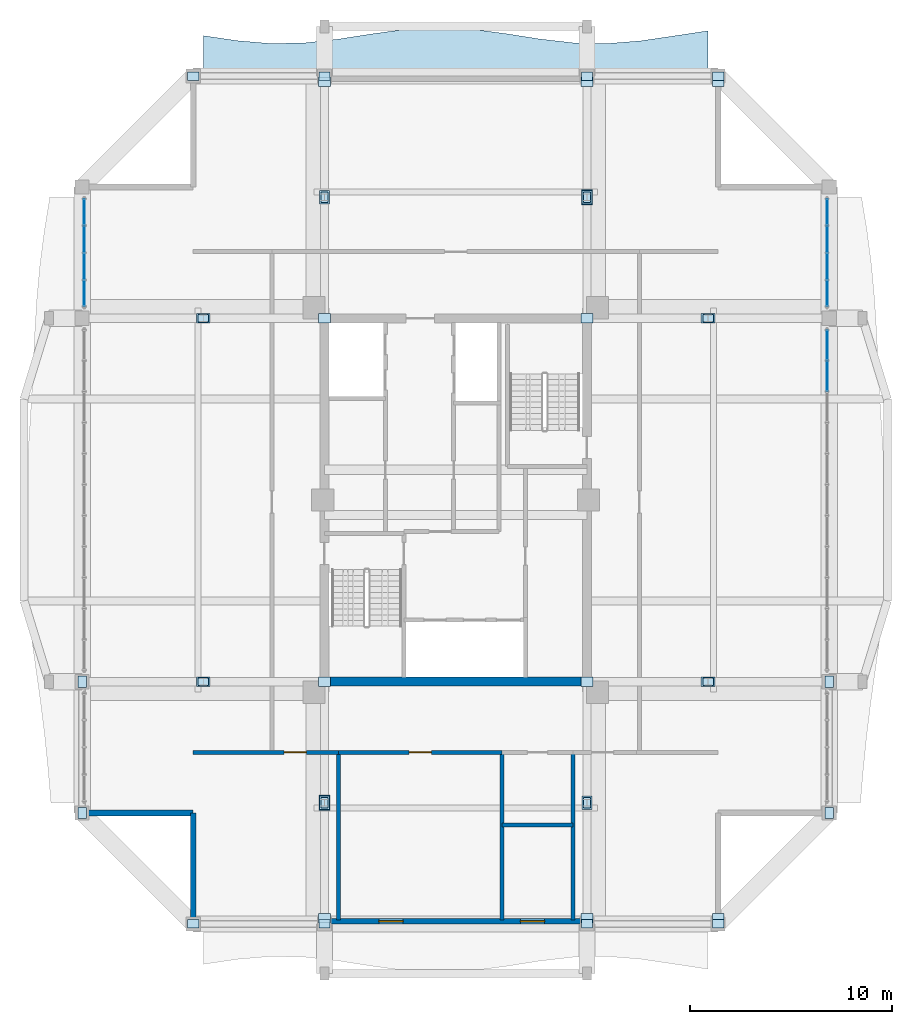
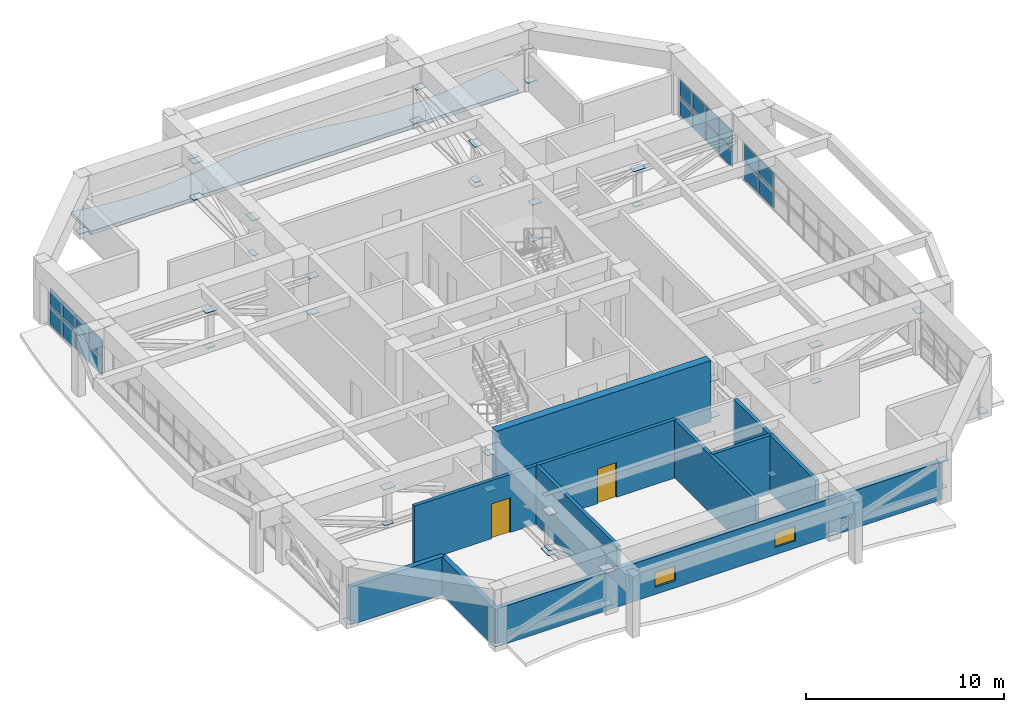
# One storey, part 20 of 25: 66 plates, 10 walls, 2 doors, 2 windows, 1 slab, 4 openings, 3 elements without a shape of their own.
"""IFC4 building model written with IfcOpenShell, lengths in metres."""

import ifcopenshell
import ifcopenshell.guid

model = None  # the IFC model being written
_history = None  # IfcOwnerHistory: only IFC2X3 demands one
_inside = {}  # id of a spatial element -> (the spatial element, [elements in it])
_under = {}  # id of a project, library or spatial element -> (it, [spatial elements below it])
_declared = {}  # id of a project -> (the project, [libraries it declares])
_typed = {}  # id of a type object -> (the type object, [elements of that type])
_made_of = {}  # id of a material, layer set ... -> (it, [elements and type objects made of it])


def new_model(schema):
    """Start an empty IFC model of exactly this schema.

    Asked for "IFC4X3", IfcOpenShell would pick the latest addendum, in which some entities
    have other attributes; the version numbers below select the first issue.
    IFC2X3 requires an IfcOwnerHistory on every rooted entity: one is made here for all.
    """
    global model, _history
    if schema == "IFC4X3":
        model = ifcopenshell.file(schema_version=(4, 3, 0, 0))
    else:
        model = ifcopenshell.file(schema=schema)
    _inside.clear()
    _under.clear()
    _declared.clear()
    _typed.clear()
    _made_of.clear()
    _history = None
    if model.schema == "IFC2X3":
        org = make("IfcOrganization", Name="unknown")
        user = make(
            "IfcPersonAndOrganization",
            ThePerson=make("IfcPerson", FamilyName="unknown"),
            TheOrganization=org,
        )
        app = make(
            "IfcApplication",
            ApplicationDeveloper=org,
            Version="unknown",
            ApplicationFullName="unknown",
            ApplicationIdentifier="unknown",
        )
        _history = make(
            "IfcOwnerHistory",
            OwningUser=user,
            OwningApplication=app,
            ChangeAction="ADDED",
            CreationDate=0,
        )
    return model


def make(cls, **values):
    """One entity of the class cls with the attributes given. An attribute that is None is left unset."""
    return model.create_entity(
        cls, **{name: value for name, value in values.items() if value is not None}
    )


def rooted(cls, **values):
    """An entity with a GlobalId (a new one), such as an element, a storey or a relation."""
    return make(cls, GlobalId=ifcopenshell.guid.new(), OwnerHistory=_history, **values)


def si_unit(unit_type, name, prefix=None):
    """IfcSIUnit, for example si_unit("LENGTHUNIT", "METRE", prefix="MILLI")."""
    return make("IfcSIUnit", UnitType=unit_type, Prefix=prefix, Name=name)


def assignment(units):
    """IfcUnitAssignment: the units of a project."""
    return None if units is None else make("IfcUnitAssignment", Units=units)


def point(xyz):
    """IfcCartesianPoint."""
    return None if xyz is None else make("IfcCartesianPoint", Coordinates=xyz)


def direction(xyz):
    """IfcDirection."""
    return None if xyz is None else make("IfcDirection", DirectionRatios=xyz)


def frame(location, z_axis=None, x_axis=None):
    """IfcAxis2Placement3D, a coordinate frame: its origin and axes. An axis left out is left unset."""
    return make(
        "IfcAxis2Placement3D",
        Location=point(location),
        Axis=direction(z_axis),
        RefDirection=direction(x_axis),
    )


def frame_2d(location, x_axis=None):
    """IfcAxis2Placement2D, a coordinate frame in the plane: its origin and x axis."""
    return make(
        "IfcAxis2Placement2D", Location=point(location), RefDirection=direction(x_axis)
    )


def origin():
    """The frame at (0, 0, 0) with its axes left unset."""
    return frame((0.0, 0.0, 0.0))


def origin_2d():
    """The frame at (0, 0) in the plane with its x axis left unset."""
    return frame_2d((0.0, 0.0))


def place(relative_to, where):
    """IfcLocalPlacement: puts the frame where relative to a parent placement (None: the world)."""
    return make(
        "IfcLocalPlacement", PlacementRelTo=relative_to, RelativePlacement=where
    )


def context(
    kind, dimensions, precision=None, world=None, true_north=None, identifier=None
):
    """IfcGeometricRepresentationContext, for example the 3D "Model" context."""
    return make(
        "IfcGeometricRepresentationContext",
        ContextIdentifier=identifier,
        ContextType=kind,
        CoordinateSpaceDimension=dimensions,
        Precision=precision,
        WorldCoordinateSystem=world,
        TrueNorth=true_north,
    )


def subcontext(parent, identifier, kind, view, scale=None):
    """IfcGeometricRepresentationSubContext, for example "Body" below "Model"."""
    return make(
        "IfcGeometricRepresentationSubContext",
        ContextIdentifier=identifier,
        ContextType=kind,
        ParentContext=parent,
        TargetScale=scale,
        TargetView=view,
    )


def project(units=None, contexts=None):
    """IfcProject with its units and contexts."""
    return rooted(
        "IfcProject",
        Name="project",
        RepresentationContexts=contexts,
        UnitsInContext=assignment(units),
    )


def spatial(cls, under=None, at=None, **own):
    """A site, building, storey or space (cls), placed at a placement, below another one or the project."""
    s = rooted(cls, ObjectPlacement=at, **own)
    if under is not None:
        _under.setdefault(under.id(), (under, []))[1].append(s)
    return s


def polyline(points):
    """IfcPolyline through the points."""
    return make("IfcPolyline", Points=[point(p) for p in points])


def profile(cls, at=None, kind="AREA", **sizes):
    """A parametric profile (cls). Its sizes go by their IFC names, for example OverallWidth=200.0."""
    return make(cls, ProfileType=kind, Position=at, **sizes)


def rectangle(**sizes):
    """IfcRectangleProfileDef."""
    return profile("IfcRectangleProfileDef", **sizes)


def outline(outer, holes=None, kind="AREA"):
    """IfcArbitraryClosedProfileDef: a profile drawn as a closed curve; with holes, ...WithVoids."""
    if holes is None:
        return make("IfcArbitraryClosedProfileDef", ProfileType=kind, OuterCurve=outer)
    return make(
        "IfcArbitraryProfileDefWithVoids",
        ProfileType=kind,
        OuterCurve=outer,
        InnerCurves=holes,
    )


def extrude(swept, where, along, depth):
    """IfcExtrudedAreaSolid: the profile swept, set in the frame where, extruded along a direction by depth."""
    return make(
        "IfcExtrudedAreaSolid",
        SweptArea=swept,
        Position=where,
        ExtrudedDirection=direction(along),
        Depth=depth,
    )


def shape(context_of_items, identifier, shape_type, items):
    """IfcShapeRepresentation: the items that make up one representation, for example the "Body"."""
    return make(
        "IfcShapeRepresentation",
        ContextOfItems=context_of_items,
        RepresentationIdentifier=identifier,
        RepresentationType=shape_type,
        Items=items,
    )


def source(mapping_origin, context_of_items, identifier, shape_type, items):
    """IfcRepresentationMap: a shape defined once, which mapped items show again and again."""
    return make(
        "IfcRepresentationMap",
        MappingOrigin=mapping_origin,
        MappedRepresentation=shape(context_of_items, identifier, shape_type, items),
    )


def transform(
    local_origin,
    x_axis=None,
    y_axis=None,
    z_axis=None,
    scale=None,
    scale2=None,
    scale3=None,
    uniform=True,
):
    """IfcCartesianTransformationOperator3D, or its non-uniform kind. x_axis, y_axis, z_axis: its Axis1, 2, 3."""
    if uniform:
        return make(
            "IfcCartesianTransformationOperator3D",
            Axis1=direction(x_axis),
            Axis2=direction(y_axis),
            LocalOrigin=point(local_origin),
            Scale=scale,
            Axis3=direction(z_axis),
        )
    return make(
        "IfcCartesianTransformationOperator3DnonUniform",
        Axis1=direction(x_axis),
        Axis2=direction(y_axis),
        LocalOrigin=point(local_origin),
        Scale=scale,
        Axis3=direction(z_axis),
        Scale2=scale2,
        Scale3=scale3,
    )


def mapped(mapping_source, mapping_target):
    """IfcMappedItem: shows the shape of a source again, moved by a transform."""
    return make(
        "IfcMappedItem", MappingSource=mapping_source, MappingTarget=mapping_target
    )


def material(Name=None, Category=None):
    """IfcMaterial."""
    return make("IfcMaterial", Name=Name, Category=Category)


def layer(
    of_material, thickness, ventilated=None, Name=None, Category=None, Priority=None
):
    """IfcMaterialLayer: one layer of a wall or slab, of a material (None: an air gap)."""
    return make(
        "IfcMaterialLayer",
        Material=of_material,
        LayerThickness=thickness,
        IsVentilated=ventilated,
        Name=Name,
        Category=Category,
        Priority=Priority,
    )


def layer_set(layers, Name=None):
    """IfcMaterialLayerSet."""
    return make("IfcMaterialLayerSet", MaterialLayers=layers, LayerSetName=Name)


def made_of(thing, what):
    """Note that an element or type object is made of a material, layer set ...; save() writes the relation."""
    if what is not None:
        _made_of.setdefault(what.id(), (what, []))[1].append(thing)
    return thing


def type_object(cls, material=None, **own):
    """A type object (cls), such as IfcWallType, which elements share."""
    return made_of(rooted(cls, **own), material)


def element(
    cls,
    number,
    at=None,
    inside=None,
    cuts=None,
    type_object=None,
    material=None,
    context=None,
    identifier="Body",
    shape_type=None,
    held_by="IfcProductDefinitionShape",
    body=None,
    shapes=None,
    **own,
):
    """One element of the class cls, such as IfcWall. Its Tag is "e" and its number.

    at: its placement. inside: the storey or other place that contains it. cuts: it is an
    opening in that element (IfcRelVoidsElement). A single representation is given by context,
    identifier, shape_type and body (its items); several are given by shapes. held_by: the class
    of the entity that holds the representations. save() writes the other relations.
    """
    e = rooted(cls, Tag="e%d" % number, ObjectPlacement=at, **own)
    if body is not None:
        shapes = [shape(context, identifier, shape_type, body)]
    if shapes is not None:
        e.Representation = make(held_by, Representations=shapes)
    if inside is not None:
        _inside.setdefault(inside.id(), (inside, []))[1].append(e)
    if cuts is not None:
        rooted(
            "IfcRelVoidsElement", RelatingBuildingElement=cuts, RelatedOpeningElement=e
        )
    if type_object is not None:
        _typed.setdefault(type_object.id(), (type_object, []))[1].append(e)
    return made_of(e, material)


def fill(opening, filler):
    """IfcRelFillsElement: the door or window that sits in an opening."""
    return rooted(
        "IfcRelFillsElement",
        RelatingOpeningElement=opening,
        RelatedBuildingElement=filler,
    )


def aggregate(whole, parts):
    """IfcRelAggregates: a whole, such as a stair, and the parts it consists of."""
    return rooted("IfcRelAggregates", RelatingObject=whole, RelatedObjects=parts)


def save(model, path):
    """Write the relations noted so far, then the file.

    IfcRelAggregates (storeys below a building ...), IfcRelContainedInSpatialStructure (elements
    in a storey), IfcRelDefinesByType, IfcRelAssociatesMaterial and IfcRelDeclares: one each for
    every whole, place, type object, material and project.
    """
    for whole, parts in _under.values():
        aggregate(whole, parts)
    for where, things in _inside.values():
        rooted(
            "IfcRelContainedInSpatialStructure",
            RelatedElements=things,
            RelatingStructure=where,
        )
    for kind, things in _typed.values():
        rooted("IfcRelDefinesByType", RelatedObjects=things, RelatingType=kind)
    for what, things in _made_of.values():
        rooted("IfcRelAssociatesMaterial", RelatedObjects=things, RelatingMaterial=what)
    for by, libraries in _declared.values():
        rooted("IfcRelDeclares", RelatingContext=by, RelatedDefinitions=libraries)
    model.write(path)


model = new_model("IFC4")

# Units and contexts
model_context = context("Model", 3, precision=1e-05, world=origin(), true_north=direction((0.0, 1.0)))
body_context = subcontext(model_context, "Body", "Model", "MODEL_VIEW")
ifc_project = project(units=[si_unit("LENGTHUNIT", "METRE"), si_unit("AREAUNIT", "SQUARE_METRE"), si_unit("VOLUMEUNIT", "CUBIC_METRE"), si_unit("PLANEANGLEUNIT", "RADIAN"), si_unit("MASSUNIT", "GRAM", prefix="KILO")], contexts=[model_context])

# Site, building, storey
site_placement = place(None, origin())
site = spatial("IfcSite", under=ifc_project, at=site_placement, CompositionType="ELEMENT")
building_placement = place(site_placement, origin())
building = spatial("IfcBuilding", under=site, at=building_placement, Name="Saelheon Loggia Tower", CompositionType="ELEMENT")
storey_placement = place(building_placement, frame((0.0, 0.0, 206.5)))
storey = spatial("IfcBuildingStorey", under=building, at=storey_placement, Name="L64", CompositionType="ELEMENT", Elevation=206.5)

# Slab
ifc_material_1 = material(Name="Concrete C45/55", Category="concrete")
ifc_layer_1 = layer(ifc_material_1, 0.219970703125)
ifc_layer_set_1 = layer_set([ifc_layer_1], Name="Concrete C45/55")
slab_type = type_object("IfcSlabType", Name="Slab_RefugeTerrace_Ext_220", PredefinedType="FLOOR", material=ifc_layer_set_1)
slab_placement = place(storey_placement, frame((0.0, 0.0, -0.219970703125)))
element("IfcSlab", 1, at=slab_placement, inside=storey, type_object=slab_type, Name="L64 Open Refuge Terrace N", PredefinedType="FLOOR", context=body_context, shape_type="SweptSolid", body=[
    extrude(outline(polyline([(25.5, 48.0), (50.5, 48.0), (50.5, 50.240234375), (48.833251953125, 49.9892578125), (47.166748046875, 49.742919921875), (45.5, 49.608154296875), (43.833251953125, 49.643310546875), (42.166748046875, 49.83349609375), (40.5, 50.095703125), (38.833251953125, 50.31640625), (37.166748046875, 50.39990234375), (35.5, 50.309814453125), (33.833251953125, 50.085205078125), (32.166748046875, 49.82373046875), (30.5, 49.638671875), (28.833251953125, 49.6103515625), (27.166748046875, 49.751220703125), (25.5, 50.0), (25.5, 48.0)])), origin(), (0.0, 0.0, 1.0), 0.219970703125),
])

# Plates
ifc_material_2 = material(Name="Steel SM355", Category="steel")
ifc_layer_2 = layer(ifc_material_2, 0.028076171875)
ifc_layer_set_2 = layer_set([ifc_layer_2], Name="Steel SM355")
plate_type_1 = type_object("IfcPlateType", Name="Plate_Gusset_GS1", PredefinedType="SHEET", material=ifc_layer_set_2)
shared_shape_1 = source(origin(), body_context, "Body", "SweptSolid", [
    extrude(rectangle(XDim=0.679931640625, YDim=0.47998046875, at=origin_2d()), origin(), (0.0, 0.0, 1.0), 0.028076171875),
])
for number, where, z_axis, x_axis, name in (
    (2, (31.5, 12.0, 2.4560546875), (0.0, 0.0, 1.0), (0.0, 1.0, 0.0), "L64 Outrigger Node Gusset SW-S"),
    (3, (44.5, 12.0, 2.4560546875), (0.0, 0.0, 1.0), (0.0, 1.0, 0.0), "L64 Outrigger Node Gusset SE-S"),
    (4, (31.5, 42.0, 2.4560546875), (0.0, 0.0, 1.0), (0.0, 1.0, 0.0), "L64 Outrigger Node Gusset NW-N"),
    (5, (44.5, 42.0, 2.4560546875), (0.0, 0.0, 1.0), (0.0, 1.0, 0.0), "L64 Outrigger Node Gusset NE-N"),
    (6, (25.5, 18.0, 2.4560546875), (0.0, 0.0, 1.0), (1.0, 0.0, 0.0), "L64 Outrigger Node Gusset SW-W"),
    (7, (25.5, 36.0, 2.4560546875), (0.0, 0.0, 1.0), (1.0, 0.0, 0.0), "L64 Outrigger Node Gusset NW-W"),
    (8, (50.5, 18.0, 2.4560546875), (0.0, 0.0, 1.0), (1.0, 0.0, 0.0), "L64 Outrigger Node Gusset SE-E"),
    (9, (50.5, 36.0, 2.4560546875), (0.0, 0.0, 1.0), (1.0, 0.0, 0.0), "L64 Outrigger Node Gusset NE-E"),
):
    element("IfcPlate", number, at=place(storey_placement, frame(where, z_axis=z_axis, x_axis=x_axis)), inside=storey, type_object=plate_type_1, Name=name, PredefinedType="SHEET", context=body_context, shape_type="MappedRepresentation", body=[
        mapped(shared_shape_1, transform((0.0, 0.0, 0.0), scale=1.0)),
    ])
ifc_layer_3 = layer(ifc_material_2, 0.02197265625)
ifc_layer_set_3 = layer_set([ifc_layer_3], Name="Steel SM355")
plate_type_2 = type_object("IfcPlateType", Name="Plate_Stiffener_SP1", PredefinedType="USERDEFINED", material=ifc_layer_set_3)
shared_shape_2 = source(origin(), body_context, "Body", "SweptSolid", [
    extrude(rectangle(XDim=0.52001953125, YDim=0.360107421875, at=origin_2d()), origin(), (0.0, 0.0, 1.0), 0.02197265625),
])
for number, where, z_axis, x_axis, name in (
    (10, (31.5, 12.0, 0.208984375), (0.0, 0.0, 1.0), (0.0, 1.0, 0.0), "L64 Outrigger Stiffener Plate SW-S"),
    (11, (44.5, 12.0, 0.208984375), (0.0, 0.0, 1.0), (0.0, 1.0, 0.0), "L64 Outrigger Stiffener Plate SE-S"),
    (12, (31.5, 42.0, 0.208984375), (0.0, 0.0, 1.0), (0.0, 1.0, 0.0), "L64 Outrigger Stiffener Plate NW-N"),
    (13, (44.5, 42.0, 0.208984375), (0.0, 0.0, 1.0), (0.0, 1.0, 0.0), "L64 Outrigger Stiffener Plate NE-N"),
    (14, (25.5, 18.0, 0.208984375), (0.0, 0.0, 1.0), (1.0, 0.0, 0.0), "L64 Outrigger Stiffener Plate SW-W"),
    (15, (25.5, 36.0, 0.208984375), (0.0, 0.0, 1.0), (1.0, 0.0, 0.0), "L64 Outrigger Stiffener Plate NW-W"),
    (16, (50.5, 18.0, 0.208984375), (0.0, 0.0, 1.0), (1.0, 0.0, 0.0), "L64 Outrigger Stiffener Plate SE-E"),
    (17, (50.5, 36.0, 0.208984375), (0.0, 0.0, 1.0), (1.0, 0.0, 0.0), "L64 Outrigger Stiffener Plate NE-E"),
):
    element("IfcPlate", number, at=place(storey_placement, frame(where, z_axis=z_axis, x_axis=x_axis)), inside=storey, type_object=plate_type_2, Name=name, ObjectType="STIFFENER_PLATE", PredefinedType="USERDEFINED", context=body_context, shape_type="MappedRepresentation", body=[
        mapped(shared_shape_2, transform((0.0, 0.0, 0.0), scale=1.0)),
    ])
ifc_layer_4 = layer(ifc_material_2, 0.031982421875)
ifc_layer_set_4 = layer_set([ifc_layer_4], Name="Steel SM355")
plate_type_3 = type_object("IfcPlateType", Name="Outrigger_BasePlate_BP2", PredefinedType="USERDEFINED", material=ifc_layer_set_4)
shared_shape_3 = source(origin(), body_context, "Body", "SweptSolid", [
    extrude(rectangle(XDim=0.760009765625, YDim=0.5400390625, at=origin_2d()), origin(), (0.0, 0.0, 1.0), 0.031982421875),
])
for number, where, z_axis, x_axis, name in (
    (18, (31.5, 12.0, 0.0), (0.0, 0.0, 1.0), (0.0, 1.0, 0.0), "L64 Outrigger Post Base Plate SW-S"),
    (19, (44.5, 42.0, 0.0), (0.0, 0.0, 1.0), (0.0, 1.0, 0.0), "L64 Outrigger Post Base Plate NE-N"),
):
    element("IfcPlate", number, at=place(storey_placement, frame(where, z_axis=z_axis, x_axis=x_axis)), inside=storey, type_object=plate_type_3, Name=name, ObjectType="BASE_PLATE", PredefinedType="USERDEFINED", context=body_context, shape_type="MappedRepresentation", body=[
        mapped(shared_shape_3, transform((0.0, 0.0, 0.0), scale=1.0)),
    ])
ifc_layer_5 = layer(ifc_material_2, 0.02587890625)
ifc_layer_set_5 = layer_set([ifc_layer_5], Name="Steel SM355")
plate_type_4 = type_object("IfcPlateType", Name="Plate_Embed_EP1", PredefinedType="SHEET", material=ifc_layer_set_5)
shared_shape_4 = source(origin(), body_context, "Body", "SweptSolid", [
    extrude(rectangle(XDim=0.580078125, YDim=0.4599609375, at=origin_2d()), origin(), (0.0, 0.0, 1.0), 0.02587890625),
])
for number, where, z_axis, x_axis, name in (
    (20, (31.5, 18.0, 0.20703125), (0.0, 0.0, 1.0), (1.0, 0.0, 0.0), "L64 Core Wall Outrigger Cast-In Embed Plate SW-B"),
    (21, (31.5, 18.0, 2.45703125), (0.0, 0.0, 1.0), (1.0, 0.0, 0.0), "L64 Core Wall Outrigger Cast-In Embed Plate SW-T"),
    (22, (44.5, 18.0, 0.20703125), (0.0, 0.0, 1.0), (1.0, 0.0, 0.0), "L64 Core Wall Outrigger Cast-In Embed Plate SE-B"),
    (23, (44.5, 18.0, 2.45703125), (0.0, 0.0, 1.0), (1.0, 0.0, 0.0), "L64 Core Wall Outrigger Cast-In Embed Plate SE-T"),
    (24, (31.5, 36.0, 0.20703125), (0.0, 0.0, 1.0), (1.0, 0.0, 0.0), "L64 Core Wall Outrigger Cast-In Embed Plate NW-B"),
    (25, (31.5, 36.0, 2.45703125), (0.0, 0.0, 1.0), (1.0, 0.0, 0.0), "L64 Core Wall Outrigger Cast-In Embed Plate NW-T"),
    (26, (44.5, 36.0, 0.20703125), (0.0, 0.0, 1.0), (1.0, 0.0, 0.0), "L64 Core Wall Outrigger Cast-In Embed Plate NE-B"),
    (27, (44.5, 36.0, 2.45703125), (0.0, 0.0, 1.0), (1.0, 0.0, 0.0), "L64 Core Wall Outrigger Cast-In Embed Plate NE-T"),
    (28, (31.5, 6.280029296875, 2.45703125), (0.0, 0.0, 1.0), (1.0, 0.0, 0.0), "L64 Perimeter Wall Outrigger Embed Plate SW-T"),
    (29, (44.5, 6.280029296875, 2.45703125), (0.0, 0.0, 1.0), (1.0, 0.0, 0.0), "L64 Perimeter Wall Outrigger Embed Plate SE-T"),
    (30, (31.5, 47.719970703125, 0.20703125), (0.0, 0.0, 1.0), (1.0, 0.0, 0.0), "L64 Perimeter Wall Outrigger Embed Plate NW-B"),
    (31, (44.5, 47.719970703125, 2.45703125), (0.0, 0.0, 1.0), (1.0, 0.0, 0.0), "L64 Perimeter Wall Outrigger Embed Plate NE-T"),
    (32, (31.5, 6.280029296875, 0.20703125), (0.0, 0.0, 1.0), (1.0, 0.0, 0.0), "L64 Perimeter Wall Outrigger Embed Plate SW-B"),
    (33, (31.5, 47.719970703125, 2.45703125), (0.0, 0.0, 1.0), (1.0, 0.0, 0.0), "L64 Perimeter Wall Outrigger Embed Plate NW-T"),
    (34, (51.0, 6.280029296875, 0.607177734375), (0.0, 0.0, 1.0), (1.0, 0.0, 0.0), "L64 Perimeter Wall Outrigger Embed Plate BS2-E"),
    (35, (51.0, 47.719970703125, 0.607177734375), (0.0, 0.0, 1.0), (1.0, 0.0, 0.0), "L64 Perimeter Wall Outrigger Embed Plate BN2-E"),
):
    element("IfcPlate", number, at=place(storey_placement, frame(where, z_axis=z_axis, x_axis=x_axis)), inside=storey, type_object=plate_type_4, Name=name, PredefinedType="SHEET", context=body_context, shape_type="MappedRepresentation", body=[
        mapped(shared_shape_4, transform((0.0, 0.0, 0.0), scale=1.0)),
    ])
ifc_layer_6 = layer(ifc_material_2, 0.02490234375)
ifc_layer_set_6 = layer_set([ifc_layer_6], Name="Steel SM355")
plate_type_5 = type_object("IfcPlateType", Name="Plate_EndCap_FP1", PredefinedType="USERDEFINED", material=ifc_layer_set_6)
shared_shape_5 = source(origin(), body_context, "Body", "SweptSolid", [
    extrude(rectangle(XDim=0.56005859375, YDim=0.419921875, at=origin_2d()), origin(), (0.0, 0.0, 1.0), 0.02490234375),
])
for number, where, z_axis, x_axis, name in (
    (36, (25.0, 6.0, 0.20751953125), (0.0, 0.0, 1.0), (1.0, 0.0, 0.0), "L64 Hollow End Cap Plate BS1 A"),
    (37, (31.5, 6.0, 2.45751953125), (0.0, 0.0, 1.0), (1.0, 0.0, 0.0), "L64 Hollow End Cap Plate BS1 B"),
    (38, (44.5, 6.0, 0.20751953125), (0.0, 0.0, 1.0), (1.0, 0.0, 0.0), "L64 Hollow End Cap Plate BS2 A"),
    (39, (51.0, 6.0, 2.45751953125), (0.0, 0.0, 1.0), (1.0, 0.0, 0.0), "L64 Hollow End Cap Plate BS2 B"),
    (40, (25.0, 48.0, 0.20751953125), (0.0, 0.0, 1.0), (1.0, 0.0, 0.0), "L64 Hollow End Cap Plate BN1 A"),
    (41, (31.5, 48.0, 2.45751953125), (0.0, 0.0, 1.0), (1.0, 0.0, 0.0), "L64 Hollow End Cap Plate BN1 B"),
    (42, (44.5, 48.0, 0.20751953125), (0.0, 0.0, 1.0), (1.0, 0.0, 0.0), "L64 Hollow End Cap Plate BN2 A"),
    (43, (51.0, 48.0, 2.45751953125), (0.0, 0.0, 1.0), (1.0, 0.0, 0.0), "L64 Hollow End Cap Plate BN2 B"),
    (44, (19.5, 11.5, 0.20751953125), (0.0, 0.0, 1.0), (0.0, 1.0, 0.0), "L64 Hollow End Cap Plate BW1 A"),
    (45, (19.5, 18.0, 2.45751953125), (0.0, 0.0, 1.0), (0.0, 1.0, 0.0), "L64 Hollow End Cap Plate BW1 B"),
    (46, (56.5, 11.5, 0.20751953125), (0.0, 0.0, 1.0), (0.0, 1.0, 0.0), "L64 Hollow End Cap Plate BE1 A"),
    (47, (56.5, 18.0, 2.45751953125), (0.0, 0.0, 1.0), (0.0, 1.0, 0.0), "L64 Hollow End Cap Plate BE1 B"),
):
    element("IfcPlate", number, at=place(storey_placement, frame(where, z_axis=z_axis, x_axis=x_axis)), inside=storey, type_object=plate_type_5, Name=name, ObjectType="FLANGE_PLATE", PredefinedType="USERDEFINED", context=body_context, shape_type="MappedRepresentation", body=[
        mapped(shared_shape_5, transform((0.0, 0.0, 0.0), scale=1.0)),
    ])

# Curtain wall, plates
ifc_material_3 = material(Name="Anodised Aluminium Acoustic Louvre Curtain Wall", Category="aluminium")
ifc_layer_7 = layer(ifc_material_3, 0.179931640625)
ifc_layer_set_7 = layer_set([ifc_layer_7], Name="Anodised Aluminium Acoustic Louvre Curtain Wall")
curtain_wall_type = type_object("IfcCurtainWallType", Name="CW_RefugeAcoustic", PredefinedType="NOTDEFINED", material=ifc_layer_set_7)
curtain_wall_1_placement = place(storey_placement, origin())
curtain_wall_1 = element("IfcCurtainWall", 48, at=curtain_wall_1_placement, inside=storey, type_object=curtain_wall_type, Name="L64 E Refuge Acoustic Curtain Wall 2", PredefinedType="NOTDEFINED")
ifc_material_4 = material(Name="Triple Low-E Laminated Glazing", Category="glass")
ifc_layer_8 = layer(ifc_material_4, 0.0400390625)
ifc_layer_set_8 = layer_set([ifc_layer_8], Name="Triple Low-E Laminated Glazing")
plate_type_6 = type_object("IfcPlateType", Name="CW_RefugeAcoustic_Panel", PredefinedType="CURTAIN_PANEL", material=ifc_layer_set_8)
shared_shape_6 = source(origin(), body_context, "Body", "SweptSolid", [
    extrude(rectangle(XDim=1.43896484375, YDim=0.0400390625, at=origin_2d()), origin(), (0.0, 0.0, 1.0), 1.1025390625),
])
plate_1_placement = place(storey_placement, frame((56.39990234375, 34.66552734375, 0.06494140625), z_axis=(0.0, 0.0, 1.0), x_axis=(0.0, 1.0, 0.0)))
plate_1 = element("IfcPlate", 49, at=plate_1_placement, type_object=plate_type_6, Name="CW5 panel 11.1", PredefinedType="CURTAIN_PANEL", context=body_context, shape_type="MappedRepresentation", body=[
    mapped(shared_shape_6, transform((0.0, 0.0, 0.0), scale=1.0)),
])
shared_shape_7 = source(origin(), body_context, "Body", "SweptSolid", [
    extrude(rectangle(XDim=1.471435546875, YDim=0.0400390625, at=origin_2d()), origin(), (0.0, 0.0, 1.0), 1.1025390625),
])
plate_2_placement = place(storey_placement, frame((56.39990234375, 33.1455078125, 0.06494140625), z_axis=(0.0, 0.0, 1.0), x_axis=(0.0, 1.0, 0.0)))
plate_2 = element("IfcPlate", 50, at=plate_2_placement, type_object=plate_type_6, Name="CW5 panel 10.1", PredefinedType="CURTAIN_PANEL", context=body_context, shape_type="MappedRepresentation", body=[
    mapped(shared_shape_7, transform((0.0, 0.0, 0.0), scale=1.0)),
])

curtain_wall_2_placement = place(storey_placement, origin())
curtain_wall_2 = element("IfcCurtainWall", 51, at=curtain_wall_2_placement, inside=storey, type_object=curtain_wall_type, Name="L64 W Refuge Acoustic Curtain Wall 3", PredefinedType="NOTDEFINED")
shared_shape_8 = source(origin(), body_context, "Body", "SweptSolid", [
    extrude(rectangle(XDim=1.25244140625, YDim=0.0400390625, at=origin_2d()), origin(), (0.0, 0.0, 1.0), 1.1025390625),
])
plate_3_placement = place(storey_placement, frame((19.60009765625, 37.2412109375, 0.06494140625), z_axis=(0.0, 0.0, 1.0), x_axis=(0.0, 1.0, 0.0)))
plate_3 = element("IfcPlate", 52, at=plate_3_placement, type_object=plate_type_6, Name="CW5 panel 1.1", PredefinedType="CURTAIN_PANEL", context=body_context, shape_type="MappedRepresentation", body=[
    mapped(shared_shape_8, transform((0.0, 0.0, 0.0), scale=1.0)),
])
plate_4_placement = place(storey_placement, frame((19.60009765625, 41.2587890625, 0.06494140625), z_axis=(0.0, 0.0, 1.0), x_axis=(0.0, 1.0, 0.0)))
plate_4 = element("IfcPlate", 53, at=plate_4_placement, type_object=plate_type_6, Name="CW5 panel 4.1", PredefinedType="CURTAIN_PANEL", context=body_context, shape_type="MappedRepresentation", body=[
    mapped(shared_shape_8, transform((0.0, 0.0, 0.0), scale=1.0)),
])

curtain_wall_3_placement = place(storey_placement, origin())
curtain_wall_3 = element("IfcCurtainWall", 54, at=curtain_wall_3_placement, inside=storey, type_object=curtain_wall_type, Name="L64 E Refuge Acoustic Curtain Wall 3", PredefinedType="NOTDEFINED")
plate_5_placement = place(storey_placement, frame((56.39990234375, 37.2412109375, 0.06494140625), z_axis=(0.0, 0.0, 1.0), x_axis=(0.0, 1.0, 0.0)))
plate_5 = element("IfcPlate", 55, at=plate_5_placement, type_object=plate_type_6, Name="CW5 panel 1.1", PredefinedType="CURTAIN_PANEL", context=body_context, shape_type="MappedRepresentation", body=[
    mapped(shared_shape_8, transform((0.0, 0.0, 0.0), scale=1.0)),
])
plate_6_placement = place(storey_placement, frame((56.39990234375, 41.2587890625, 0.06494140625), z_axis=(0.0, 0.0, 1.0), x_axis=(0.0, 1.0, 0.0)))
plate_6 = element("IfcPlate", 56, at=plate_6_placement, type_object=plate_type_6, Name="CW5 panel 4.1", PredefinedType="CURTAIN_PANEL", context=body_context, shape_type="MappedRepresentation", body=[
    mapped(shared_shape_8, transform((0.0, 0.0, 0.0), scale=1.0)),
])

# Plate
shared_shape_9 = source(origin(), body_context, "Body", "SweptSolid", [
    extrude(rectangle(XDim=1.25244140625, YDim=0.0400390625, at=origin_2d()), origin(), (0.0, 0.0, 1.0), 1.04248046875),
])
plate_7_placement = place(storey_placement, frame((19.60009765625, 37.2412109375, 1.232421875), z_axis=(0.0, 0.0, 1.0), x_axis=(0.0, 1.0, 0.0)))
plate_7 = element("IfcPlate", 57, at=plate_7_placement, type_object=plate_type_6, Name="CW5 panel 1.2", PredefinedType="CURTAIN_PANEL", context=body_context, shape_type="MappedRepresentation", body=[
    mapped(shared_shape_9, transform((0.0, 0.0, 0.0), scale=1.0)),
])

plate_8_placement = place(storey_placement, frame((19.60009765625, 41.2587890625, 1.232421875), z_axis=(0.0, 0.0, 1.0), x_axis=(0.0, 1.0, 0.0)))
plate_8 = element("IfcPlate", 58, at=plate_8_placement, type_object=plate_type_6, Name="CW5 panel 4.2", PredefinedType="CURTAIN_PANEL", context=body_context, shape_type="MappedRepresentation", body=[
    mapped(shared_shape_9, transform((0.0, 0.0, 0.0), scale=1.0)),
])

plate_9_placement = place(storey_placement, frame((56.39990234375, 37.2412109375, 1.232421875), z_axis=(0.0, 0.0, 1.0), x_axis=(0.0, 1.0, 0.0)))
plate_9 = element("IfcPlate", 59, at=plate_9_placement, type_object=plate_type_6, Name="CW5 panel 1.2", PredefinedType="CURTAIN_PANEL", context=body_context, shape_type="MappedRepresentation", body=[
    mapped(shared_shape_9, transform((0.0, 0.0, 0.0), scale=1.0)),
])

plate_10_placement = place(storey_placement, frame((56.39990234375, 41.2587890625, 1.232421875), z_axis=(0.0, 0.0, 1.0), x_axis=(0.0, 1.0, 0.0)))
plate_10 = element("IfcPlate", 60, at=plate_10_placement, type_object=plate_type_6, Name="CW5 panel 4.2", PredefinedType="CURTAIN_PANEL", context=body_context, shape_type="MappedRepresentation", body=[
    mapped(shared_shape_9, transform((0.0, 0.0, 0.0), scale=1.0)),
])

shared_shape_10 = source(origin(), body_context, "Body", "SweptSolid", [
    extrude(rectangle(XDim=1.284912109375, YDim=0.0400390625, at=origin_2d()), origin(), (0.0, 0.0, 1.0), 1.1025390625),
])
plate_11_placement = place(storey_placement, frame((19.60009765625, 38.574951171875, 0.06494140625), z_axis=(0.0, 0.0, 1.0), x_axis=(0.0, 1.0, 0.0)))
plate_11 = element("IfcPlate", 61, at=plate_11_placement, type_object=plate_type_6, Name="CW5 panel 2.1", PredefinedType="CURTAIN_PANEL", context=body_context, shape_type="MappedRepresentation", body=[
    mapped(shared_shape_10, transform((0.0, 0.0, 0.0), scale=1.0)),
])

plate_12_placement = place(storey_placement, frame((19.60009765625, 39.925048828125, 0.06494140625), z_axis=(0.0, 0.0, 1.0), x_axis=(0.0, 1.0, 0.0)))
plate_12 = element("IfcPlate", 62, at=plate_12_placement, type_object=plate_type_6, Name="CW5 panel 3.1", PredefinedType="CURTAIN_PANEL", context=body_context, shape_type="MappedRepresentation", body=[
    mapped(shared_shape_10, transform((0.0, 0.0, 0.0), scale=1.0)),
])

plate_13_placement = place(storey_placement, frame((56.39990234375, 38.574951171875, 0.06494140625), z_axis=(0.0, 0.0, 1.0), x_axis=(0.0, 1.0, 0.0)))
plate_13 = element("IfcPlate", 63, at=plate_13_placement, type_object=plate_type_6, Name="CW5 panel 2.1", PredefinedType="CURTAIN_PANEL", context=body_context, shape_type="MappedRepresentation", body=[
    mapped(shared_shape_10, transform((0.0, 0.0, 0.0), scale=1.0)),
])

plate_14_placement = place(storey_placement, frame((56.39990234375, 39.925048828125, 0.06494140625), z_axis=(0.0, 0.0, 1.0), x_axis=(0.0, 1.0, 0.0)))
plate_14 = element("IfcPlate", 64, at=plate_14_placement, type_object=plate_type_6, Name="CW5 panel 3.1", PredefinedType="CURTAIN_PANEL", context=body_context, shape_type="MappedRepresentation", body=[
    mapped(shared_shape_10, transform((0.0, 0.0, 0.0), scale=1.0)),
])

shared_shape_11 = source(origin(), body_context, "Body", "SweptSolid", [
    extrude(rectangle(XDim=1.284912109375, YDim=0.0400390625, at=origin_2d()), origin(), (0.0, 0.0, 1.0), 1.04248046875),
])
plate_15_placement = place(storey_placement, frame((19.60009765625, 38.574951171875, 1.232421875), z_axis=(0.0, 0.0, 1.0), x_axis=(0.0, 1.0, 0.0)))
plate_15 = element("IfcPlate", 65, at=plate_15_placement, type_object=plate_type_6, Name="CW5 panel 2.2", PredefinedType="CURTAIN_PANEL", context=body_context, shape_type="MappedRepresentation", body=[
    mapped(shared_shape_11, transform((0.0, 0.0, 0.0), scale=1.0)),
])

plate_16_placement = place(storey_placement, frame((19.60009765625, 39.925048828125, 1.232421875), z_axis=(0.0, 0.0, 1.0), x_axis=(0.0, 1.0, 0.0)))
plate_16 = element("IfcPlate", 66, at=plate_16_placement, type_object=plate_type_6, Name="CW5 panel 3.2", PredefinedType="CURTAIN_PANEL", context=body_context, shape_type="MappedRepresentation", body=[
    mapped(shared_shape_11, transform((0.0, 0.0, 0.0), scale=1.0)),
])

aggregate(curtain_wall_2, [plate_3, plate_7, plate_11, plate_15, plate_12, plate_16, plate_4, plate_8])

plate_17_placement = place(storey_placement, frame((56.39990234375, 38.574951171875, 1.232421875), z_axis=(0.0, 0.0, 1.0), x_axis=(0.0, 1.0, 0.0)))
plate_17 = element("IfcPlate", 67, at=plate_17_placement, type_object=plate_type_6, Name="CW5 panel 2.2", PredefinedType="CURTAIN_PANEL", context=body_context, shape_type="MappedRepresentation", body=[
    mapped(shared_shape_11, transform((0.0, 0.0, 0.0), scale=1.0)),
])

plate_18_placement = place(storey_placement, frame((56.39990234375, 39.925048828125, 1.232421875), z_axis=(0.0, 0.0, 1.0), x_axis=(0.0, 1.0, 0.0)))
plate_18 = element("IfcPlate", 68, at=plate_18_placement, type_object=plate_type_6, Name="CW5 panel 3.2", PredefinedType="CURTAIN_PANEL", context=body_context, shape_type="MappedRepresentation", body=[
    mapped(shared_shape_11, transform((0.0, 0.0, 0.0), scale=1.0)),
])

aggregate(curtain_wall_3, [plate_5, plate_9, plate_13, plate_17, plate_14, plate_18, plate_6, plate_10])

shared_shape_12 = source(origin(), body_context, "Body", "SweptSolid", [
    extrude(rectangle(XDim=1.43896484375, YDim=0.0400390625, at=origin_2d()), origin(), (0.0, 0.0, 1.0), 1.04248046875),
])
plate_19_placement = place(storey_placement, frame((56.39990234375, 34.66552734375, 1.232421875), z_axis=(0.0, 0.0, 1.0), x_axis=(0.0, 1.0, 0.0)))
plate_19 = element("IfcPlate", 69, at=plate_19_placement, type_object=plate_type_6, Name="CW5 panel 11.2", PredefinedType="CURTAIN_PANEL", context=body_context, shape_type="MappedRepresentation", body=[
    mapped(shared_shape_12, transform((0.0, 0.0, 0.0), scale=1.0)),
])

shared_shape_13 = source(origin(), body_context, "Body", "SweptSolid", [
    extrude(rectangle(XDim=1.471435546875, YDim=0.0400390625, at=origin_2d()), origin(), (0.0, 0.0, 1.0), 1.04248046875),
])
plate_20_placement = place(storey_placement, frame((56.39990234375, 33.1455078125, 1.232421875), z_axis=(0.0, 0.0, 1.0), x_axis=(0.0, 1.0, 0.0)))
plate_20 = element("IfcPlate", 70, at=plate_20_placement, type_object=plate_type_6, Name="CW5 panel 10.2", PredefinedType="CURTAIN_PANEL", context=body_context, shape_type="MappedRepresentation", body=[
    mapped(shared_shape_13, transform((0.0, 0.0, 0.0), scale=1.0)),
])

aggregate(curtain_wall_1, [plate_2, plate_20, plate_1, plate_19])

# Wall
ifc_layer_9 = layer(ifc_material_1, 0.449951171875)
ifc_layer_set_9 = layer_set([ifc_layer_9], Name="Concrete C45/55")
wall_type_1 = type_object("IfcWallType", Name="Wall_CoreShear_450", PredefinedType="SHEAR", material=ifc_layer_set_9)
wall_1_placement = place(storey_placement, frame((31.72509765625, 18.0, 0.0), z_axis=(0.0, 0.0, 1.0), x_axis=(1.0, 0.0, 0.0)))
element("IfcWall", 71, at=wall_1_placement, inside=storey, type_object=wall_type_1, Name="L64 Core Shear Wall South", PredefinedType="SHEAR", context=body_context, shape_type="SweptSolid", body=[
    extrude(rectangle(XDim=12.5498046875, YDim=0.449951171875, at=frame_2d((6.27490234375, 0.0))), origin(), (0.0, 0.0, 1.0), 3.800048828125),
])

# Wall, openings, windows
ifc_material_5 = material(Name="Architectural Precast Concrete C40/50", Category="concrete")
ifc_layer_10 = layer(ifc_material_5, 0.280029296875)
ifc_layer_set_10 = layer_set([ifc_layer_10], Name="Architectural Precast Concrete C40/50")
wall_type_2 = type_object("IfcWallType", Name="Wall_Ext_Loggia_280", PredefinedType="SOLIDWALL", material=ifc_layer_set_10)
wall_2_placement = place(storey_placement, frame((25.0, 6.139892578125, 0.0), z_axis=(0.0, 0.0, 1.0), x_axis=(1.0, 0.0, 0.0)))
wall_2 = element("IfcWall", 72, at=wall_2_placement, inside=storey, type_object=wall_type_2, Name="L64 Refuge South Wall", PredefinedType="SOLIDWALL", context=body_context, shape_type="SweptSolid", body=[
    extrude(rectangle(XDim=26.0, YDim=0.280029296875, at=frame_2d((13.0, 0.0))), origin(), (0.0, 0.0, 1.0), 2.340087890625),
])
opening_1_placement = place(wall_2_placement, frame((9.199951171875, 0.0, 0.449951171875)))
opening_1 = element("IfcOpeningElement", 73, at=opening_1_placement, cuts=wall_2, Name="Opening WN-07", PredefinedType="OPENING", context=body_context, shape_type="SweptSolid", body=[
    extrude(rectangle(XDim=1.199951171875, YDim=0.89990234375, at=frame_2d((0.60009765625, 0.449951171875))), frame((0.0, 0.152099609375, 0.0), z_axis=(0.0, -1.0, 0.0), x_axis=(1.0, 0.0, 0.0)), (0.0, 0.0, 1.0), 0.303955078125),
])
opening_2_placement = place(wall_2_placement, frame((16.199951171875, 0.0, 0.449951171875)))
opening_2 = element("IfcOpeningElement", 74, at=opening_2_placement, cuts=wall_2, Name="Opening WN-07", PredefinedType="OPENING", context=body_context, shape_type="SweptSolid", body=[
    extrude(rectangle(XDim=1.199951171875, YDim=0.89990234375, at=frame_2d((0.60009765625, 0.449951171875))), frame((0.0, 0.152099609375, 0.0), z_axis=(0.0, -1.0, 0.0), x_axis=(1.0, 0.0, 0.0)), (0.0, 0.0, 1.0), 0.303955078125),
])
ifc_material_6 = material(Name="Thermal-Break Aluminium and Triple Low-E Glass", Category="aluminium")
window_type = type_object("IfcWindowType", Name="Win_Clerestory_1200x900", PartitioningType="SINGLE_PANEL", PredefinedType="WINDOW", material=ifc_material_6)
shared_shape_14 = source(origin(), body_context, "Body", "SweptSolid", [
    extrude(rectangle(XDim=1.199951171875, YDim=0.89990234375, at=frame_2d((0.60009765625, 0.449951171875))), frame((0.0, 0.030029296875, 0.0), z_axis=(0.0, -1.0, 0.0), x_axis=(1.0, 0.0, 0.0)), (0.0, 0.0, 1.0), 0.06005859375),
])
window_1_placement = place(opening_1_placement, origin())
window_1 = element("IfcWindow", 75, at=window_1_placement, inside=storey, type_object=window_type, Name="L64 Refuge Area Window 1", OverallHeight=0.89990234375, OverallWidth=1.199951171875, PartitioningType="SINGLE_PANEL", PredefinedType="WINDOW", context=body_context, shape_type="MappedRepresentation", body=[
    mapped(shared_shape_14, transform((0.0, 0.0, 0.0), scale=1.0)),
])
fill(opening_1, window_1)
window_2_placement = place(opening_2_placement, origin())
window_2 = element("IfcWindow", 76, at=window_2_placement, inside=storey, type_object=window_type, Name="L64 Refuge Area Window 2", OverallHeight=0.89990234375, OverallWidth=1.199951171875, PartitioningType="SINGLE_PANEL", PredefinedType="WINDOW", context=body_context, shape_type="MappedRepresentation", body=[
    mapped(shared_shape_14, transform((0.0, 0.0, 0.0), scale=1.0)),
])
fill(opening_2, window_2)

# Walls
for number, where, z_axis, x_axis, name in (
    (77, (25.0, 6.0, 0.0), (0.0, 0.0, 1.0), (0.0, 1.0, 0.0), "L64 Notch Wall SW1"),
    (78, (19.5, 11.5, 0.0), (0.0, 0.0, 1.0), (1.0, 0.0, 0.0), "L64 Notch Wall SW2"),
):
    element("IfcWall", number, at=place(storey_placement, frame(where, z_axis=z_axis, x_axis=x_axis)), inside=storey, type_object=wall_type_2, Name=name, PredefinedType="SOLIDWALL", context=body_context, shape_type="SweptSolid", body=[
        extrude(rectangle(XDim=5.5, YDim=0.280029296875, at=frame_2d((2.75, 0.0))), origin(), (0.0, 0.0, 1.0), 2.340087890625),
    ])

# Wall, opening, door
ifc_material_7 = material(Name="Concrete C40/50", Category="concrete")
ifc_layer_11 = layer(ifc_material_7, 0.199951171875)
ifc_layer_set_11 = layer_set([ifc_layer_11], Name="Concrete C40/50")
wall_type_3 = type_object("IfcWallType", Name="Wall_Shaft_200", PredefinedType="PARTITIONING", material=ifc_layer_set_11)
wall_3_placement = place(storey_placement, frame((25.0, 14.5, 0.0), z_axis=(0.0, 0.0, 1.0), x_axis=(1.0, 0.0, 0.0)))
wall_3 = element("IfcWall", 79, at=wall_3_placement, inside=storey, type_object=wall_type_3, Name="PW-L64-RFG-SW", PredefinedType="PARTITIONING", context=body_context, shape_type="SweptSolid", body=[
    extrude(rectangle(XDim=7.199951171875, YDim=0.199951171875, at=frame_2d((3.60009765625, 0.0))), origin(), (0.0, 0.0, 1.0), 3.590087890625),
])
opening_3_placement = place(wall_3_placement, frame((4.5, 0.0, 0.0)))
opening_3 = element("IfcOpeningElement", 80, at=opening_3_placement, cuts=wall_3, Name="Opening D-FD2", PredefinedType="OPENING", context=body_context, shape_type="SweptSolid", body=[
    extrude(rectangle(XDim=1.10009765625, YDim=2.14990234375, at=frame_2d((0.550048828125, 1.074951171875))), frame((0.0, 0.112060546875, 0.0), z_axis=(0.0, -1.0, 0.0), x_axis=(1.0, 0.0, 0.0)), (0.0, 0.0, 1.0), 0.223876953125),
])
ifc_material_8 = material(Name="Galvanised Steel Fire Door", Category="steel")
door_type = type_object("IfcDoorType", Name="Door_Fire_FD60_1100", OperationType="NOTDEFINED", PredefinedType="DOOR", material=ifc_material_8)
shared_shape_15 = source(origin(), body_context, "Body", "SweptSolid", [
    extrude(rectangle(XDim=1.10009765625, YDim=2.14990234375, at=frame_2d((0.550048828125, 1.074951171875))), frame((0.0, 0.02490234375, 0.0), z_axis=(0.0, -1.0, 0.0), x_axis=(1.0, 0.0, 0.0)), (0.0, 0.0, 1.0), 0.050048828125),
])
door_1_placement = place(opening_3_placement, origin())
door_1 = element("IfcDoor", 81, at=door_1_placement, inside=storey, type_object=door_type, Name="L64 Plant Bay SW Door", OperationType="SINGLE_SWING_LEFT", OverallHeight=2.14990234375, OverallWidth=1.10009765625, PredefinedType="DOOR", context=body_context, shape_type="MappedRepresentation", body=[
    mapped(shared_shape_15, transform((0.0, 0.0, 0.0), scale=1.0)),
])
fill(opening_3, door_1)

wall_4_placement = place(storey_placement, frame((32.199951171875, 14.5, 0.0), z_axis=(0.0, 0.0, 1.0), x_axis=(1.0, 0.0, 0.0)))
wall_4 = element("IfcWall", 82, at=wall_4_placement, inside=storey, type_object=wall_type_3, Name="PW-L64-RFG-SC1", PredefinedType="PARTITIONING", context=body_context, shape_type="SweptSolid", body=[
    extrude(rectangle(XDim=8.10009765625, YDim=0.199951171875, at=frame_2d((4.050048828125, 0.0))), origin(), (0.0, 0.0, 1.0), 3.590087890625),
])
opening_4_placement = place(wall_4_placement, frame((3.5, 0.0, 0.0)))
opening_4 = element("IfcOpeningElement", 83, at=opening_4_placement, cuts=wall_4, Name="Opening D-FD2", PredefinedType="OPENING", context=body_context, shape_type="SweptSolid", body=[
    extrude(rectangle(XDim=1.10009765625, YDim=2.14990234375, at=frame_2d((0.550048828125, 1.074951171875))), frame((0.0, 0.112060546875, 0.0), z_axis=(0.0, -1.0, 0.0), x_axis=(1.0, 0.0, 0.0)), (0.0, 0.0, 1.0), 0.223876953125),
])
door_2_placement = place(opening_4_placement, origin())
door_2 = element("IfcDoor", 84, at=door_2_placement, inside=storey, type_object=door_type, Name="L64 Refuge Area Entry Door", OperationType="SINGLE_SWING_RIGHT", OverallHeight=2.14990234375, OverallWidth=1.10009765625, PredefinedType="DOOR", context=body_context, shape_type="MappedRepresentation", body=[
    mapped(shared_shape_15, transform((0.0, 0.0, 0.0), scale=1.0)),
])
fill(opening_4, door_2)

# Walls
for number, where, z_axis, x_axis, name in (
    (85, (32.199951171875, 6.199951171875, 0.0), (0.0, 0.0, 1.0), (0.0, 1.0, 0.0), "PW-L64-RFG-VL"),
    (86, (40.300048828125, 6.199951171875, 0.0), (0.0, 0.0, 1.0), (0.0, 1.0, 0.0), "PW-L64-RFG-VM"),
    (87, (43.800048828125, 6.199951171875, 0.0), (0.0, 0.0, 1.0), (0.0, 1.0, 0.0), "PW-L64-RFG-VR"),
):
    element("IfcWall", number, at=place(storey_placement, frame(where, z_axis=z_axis, x_axis=x_axis)), inside=storey, type_object=wall_type_3, Name=name, PredefinedType="PARTITIONING", context=body_context, shape_type="SweptSolid", body=[
        extrude(rectangle(XDim=8.300048828125, YDim=0.199951171875, at=frame_2d((4.14990234375, 0.0))), origin(), (0.0, 0.0, 1.0), 3.590087890625),
    ])
wall_5_placement = place(storey_placement, frame((40.300048828125, 10.89990234375, 0.0), z_axis=(0.0, 0.0, 1.0), x_axis=(1.0, 0.0, 0.0)))
element("IfcWall", 88, at=wall_5_placement, inside=storey, type_object=wall_type_3, Name="PW-L64-RFG-WCS", PredefinedType="PARTITIONING", context=body_context, shape_type="SweptSolid", body=[
    extrude(rectangle(XDim=3.5, YDim=0.199951171875, at=frame_2d((1.75, 0.0))), origin(), (0.0, 0.0, 1.0), 3.590087890625),
])

save(model, "model.ifc")
